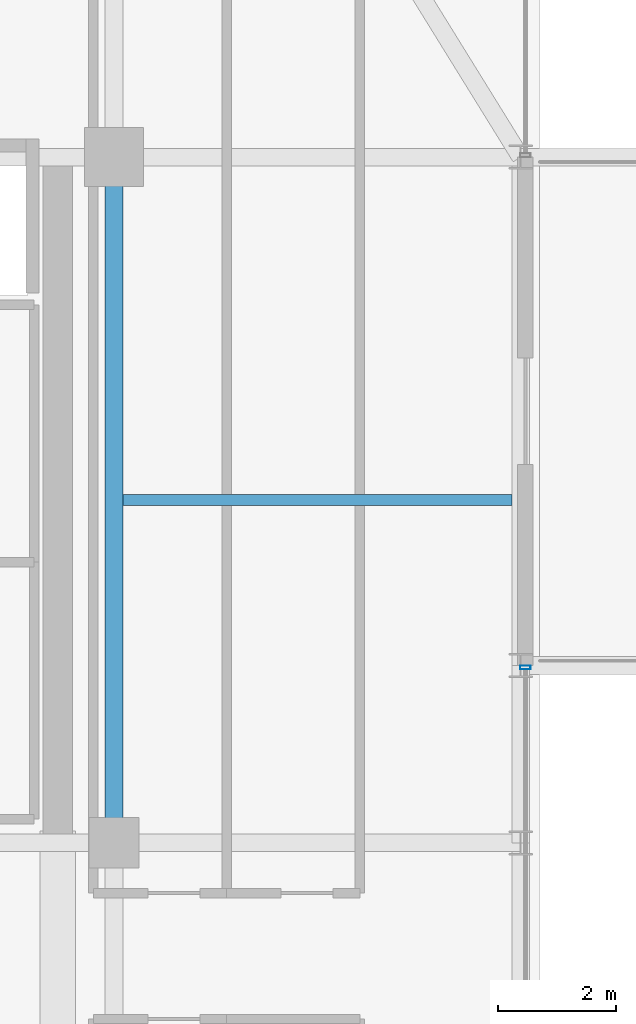
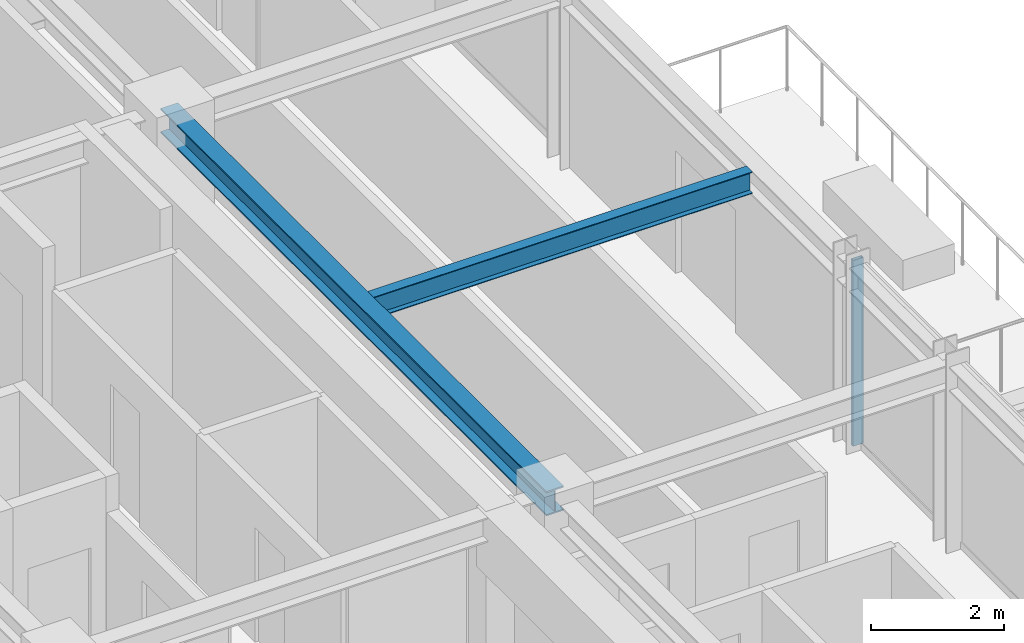
# One storey, part 23 of 34: 2 beams, 1 member, 1 element without a shape of its own.
"""IFC4 building model written with IfcOpenShell, lengths in metres."""

from ifc_helpers import new_model, si_unit, direction, frame, origin, origin_2d, place, context, subcontext, project, spatial, hollow_rectangle, i_section, extrude, source, transform, mapped, material, material_profile, profile_set, type_object, element, aggregate, save


model = new_model("IFC4")

# Units and contexts
model_context = context("Model", 3, precision=1e-05, world=origin(), true_north=direction((0.0, 1.0)))
body_context = subcontext(model_context, "Body", "Model", "MODEL_VIEW")
ifc_project = project(units=[si_unit("LENGTHUNIT", "METRE"), si_unit("AREAUNIT", "SQUARE_METRE"), si_unit("VOLUMEUNIT", "CUBIC_METRE"), si_unit("PLANEANGLEUNIT", "RADIAN"), si_unit("MASSUNIT", "GRAM", prefix="KILO")], contexts=[model_context])

# Site, building, storey
site_placement = place(None, origin())
site = spatial("IfcSite", under=ifc_project, at=site_placement, CompositionType="ELEMENT")
building_placement = place(site_placement, origin())
building = spatial("IfcBuilding", under=site, at=building_placement, Name="Nahalor Promenade Grand Hotel", CompositionType="ELEMENT")
storey_placement = place(building_placement, frame((0.0, 0.0, 208.60009765625)))
storey = spatial("IfcBuildingStorey", under=building, at=storey_placement, Name="L53", CompositionType="ELEMENT", Elevation=208.60009765625)

# Beams
ifc_material_1 = material(Name="Steel S355JR", Category="steel")
ifc_material_profile_1 = material_profile(ifc_material_1, i_section(OverallWidth=0.3, OverallDepth=0.45, WebThickness=0.014, FlangeThickness=0.026, at=origin_2d()), Name="HEB 450")
ifc_profile_set_1 = profile_set([ifc_material_profile_1], Name="Steel S355JR")
beam_type_1 = type_object("IfcBeamType", Name="Beam-Girder-HEB450", PredefinedType="BEAM", material=ifc_profile_set_1)
shared_shape_1 = source(origin(), body_context, "Body", "SweptSolid", [
    extrude(i_section(OverallWidth=0.3, OverallDepth=0.45, WebThickness=0.014, FlangeThickness=0.026, at=origin_2d()), origin(), (0.0, 0.0, 1.0), 11.60009765625),
])
beam_1_placement = place(storey_placement, frame((17.0, 5.39990234375, 3.184814453125), z_axis=(0.0, 1.0, 0.0), x_axis=(-1.0, 0.0, 0.0)))
element("IfcBeam", 1, at=beam_1_placement, inside=storey, type_object=beam_type_1, Name="BM-L53-GY-5-3", PredefinedType="BEAM", context=body_context, shape_type="MappedRepresentation", body=[
    mapped(shared_shape_1, transform((0.0, 0.0, 0.0), scale=1.0)),
])
ifc_material_profile_2 = material_profile(ifc_material_1, i_section(OverallWidth=0.18, OverallDepth=0.4, WebThickness=0.0086, FlangeThickness=0.0135, at=origin_2d()), Name="IPE 400")
ifc_profile_set_2 = profile_set([ifc_material_profile_2], Name="Steel S355JR")
beam_type_2 = type_object("IfcBeamType", Name="Beam-Joist-IPE400", PredefinedType="JOIST", material=ifc_profile_set_2)
shared_shape_2 = source(origin(), body_context, "Body", "SweptSolid", [
    extrude(i_section(OverallWidth=0.18, OverallDepth=0.4, WebThickness=0.0086, FlangeThickness=0.0135, at=origin_2d()), origin(), (0.0, 0.0, 1.0), 6.580078125),
])
beam_2_placement = place(storey_placement, frame((17.14990234375, 11.199951171875, 3.2099609375), z_axis=(1.0, 0.0, 0.0), x_axis=(0.0, 1.0, 0.0)))
element("IfcBeam", 2, at=beam_2_placement, inside=storey, type_object=beam_type_2, Name="BM-L53-JSE-1-2", PredefinedType="JOIST", context=body_context, shape_type="MappedRepresentation", body=[
    mapped(shared_shape_2, transform((0.0, 0.0, 0.0), scale=1.0)),
])

# Curtain wall, member
ifc_material_2 = material(Name="Anodised Bronze Aluminium EN AW-6063 T6", Category="aluminium")
curtain_wall_type = type_object("IfcCurtainWallType", Name="CW2 Typical Hotel Flush Bronze Unitised Curtain Wall", PredefinedType="USERDEFINED", material=ifc_material_2)
curtain_wall_placement = place(storey_placement, origin())
curtain_wall = element("IfcCurtainWall", 3, at=curtain_wall_placement, inside=storey, type_object=curtain_wall_type, Name="L53 Curtain Wall CW-L53-E-1", ObjectType="UNITISED_CURTAIN_WALL", PredefinedType="USERDEFINED")
ifc_material_profile_3 = material_profile(ifc_material_2, hollow_rectangle(XDim=0.065, YDim=0.18, WallThickness=0.004, at=origin_2d()), Name="CWM 65x180x4")
ifc_profile_set_3 = profile_set([ifc_material_profile_3], Name="Anodised Bronze Aluminium EN AW-6063 T6")
member_type = type_object("IfcMemberType", Name="CWM2 Typical Bronze Mullion 65x180", PredefinedType="MULLION", material=ifc_profile_set_3)
shared_shape_3 = source(origin(), body_context, "Body", "SweptSolid", [
    extrude(hollow_rectangle(XDim=0.065, YDim=0.18, WallThickness=0.004, at=origin_2d()), origin(), (0.0, 0.0, 1.0), 3.409912109375),
])
member_placement = place(storey_placement, frame((23.9599609375, 8.367431640625, 0.0), z_axis=(0.0, 0.0, 1.0), x_axis=(0.0, 1.0, 0.0)))
member = element("IfcMember", 4, at=member_placement, type_object=member_type, Name="CW-L53-E-1 Mullion 3", PredefinedType="MULLION", context=body_context, shape_type="MappedRepresentation", body=[
    mapped(shared_shape_3, transform((0.0, 0.0, 0.0), scale=1.0)),
])
aggregate(curtain_wall, [member])

save(model, "model.ifc")
